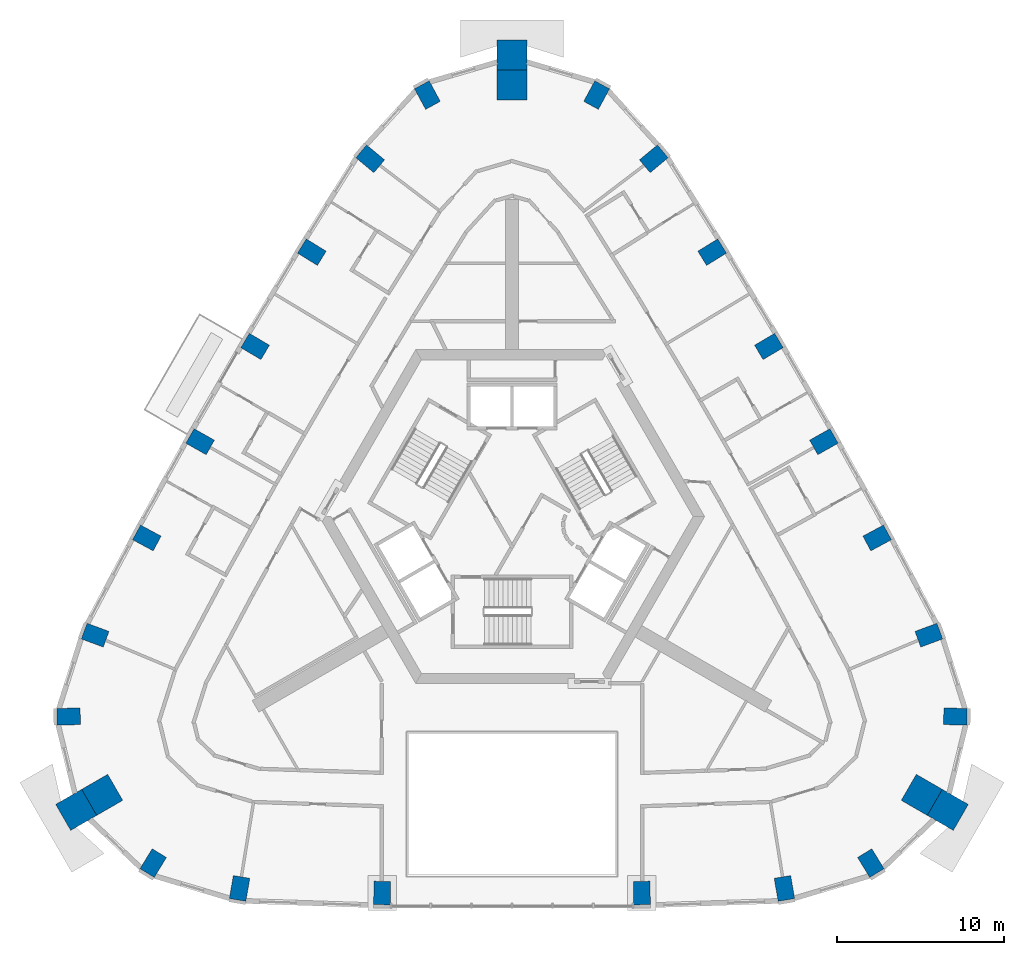
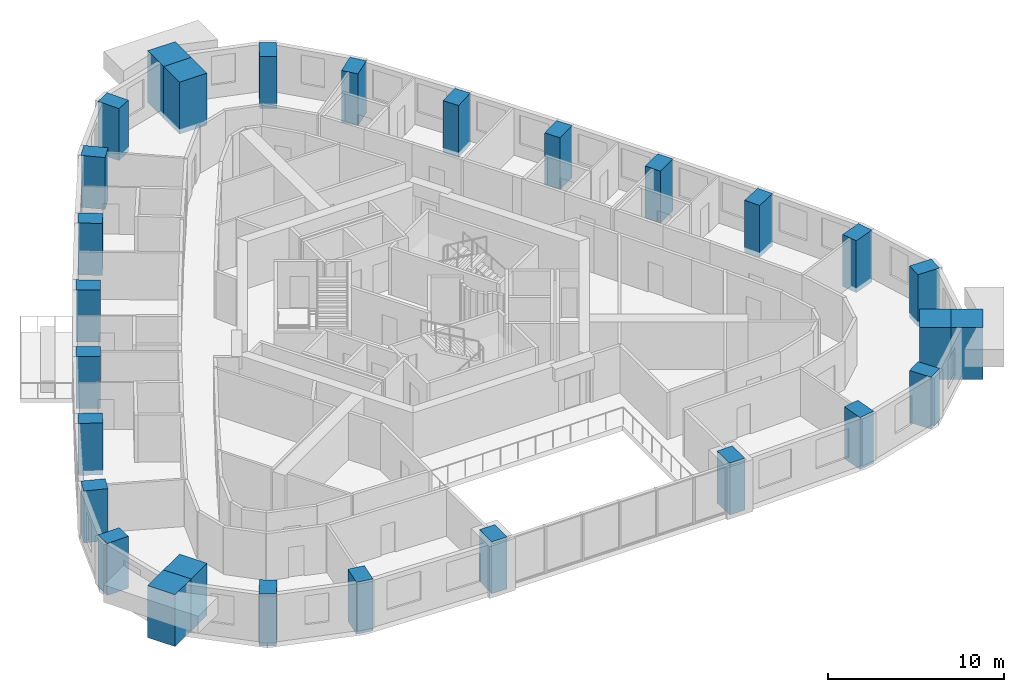
# One storey, part 1 of 13: 28 columns.
"""IFC4 building model written with IfcOpenShell, lengths in metres."""

from ifc_helpers import new_model, si_unit, direction, frame, origin, origin_2d, place, context, subcontext, project, spatial, rectangle, extrude, material, material_profile, profile_set, type_object, element, save


model = new_model("IFC4")

# Units and contexts
model_context = context("Model", 3, precision=1e-05, world=origin(), true_north=direction((0.0, 1.0)))
body_context = subcontext(model_context, "Body", "Model", "MODEL_VIEW")
ifc_project = project(units=[si_unit("LENGTHUNIT", "METRE"), si_unit("AREAUNIT", "SQUARE_METRE"), si_unit("VOLUMEUNIT", "CUBIC_METRE"), si_unit("PLANEANGLEUNIT", "RADIAN"), si_unit("MASSUNIT", "GRAM", prefix="KILO")], contexts=[model_context])

# Site, building, storey
site_placement = place(None, origin())
site = spatial("IfcSite", under=ifc_project, at=site_placement, CompositionType="ELEMENT")
building_placement = place(site_placement, origin())
building = spatial("IfcBuilding", under=site, at=building_placement, Name="Entoto Arch Interchange Tower", CompositionType="ELEMENT")
storey_placement = place(building_placement, frame((0.0, 0.0, 270.199951171875)))
storey = spatial("IfcBuildingStorey", under=building, at=storey_placement, Name="L62", CompositionType="ELEMENT", Elevation=270.199951171875)

# Columns
ifc_material_1 = material(Name="Concrete C40/50", Category="concrete")
ifc_material_profile_1 = material_profile(ifc_material_1, rectangle(XDim=1.0, YDim=1.39990234375, at=origin_2d()))
ifc_profile_set_1 = profile_set([ifc_material_profile_1], Name="Concrete C40/50")
column_type_1 = type_object("IfcColumnType", Name="Column RC 1000x1400 C40/50", PredefinedType="COLUMN", material=ifc_profile_set_1)
for number, where, z_axis, x_axis, name in (
    (1, (-16.330078125, -19.79296875, -0.33984375), (0.0, 0.0, 1.0), (-0.985952343326, 0.167026874157, 0.0), "Column S01 L62"),
    (2, (-7.783935546875, -20.069091796875, -0.33984375), (0.0, 0.0, 1.0), (-0.999832723398, 0.018290030661, 0.0), "Column S02 L62"),
    (3, (7.783935546875, -20.069091796875, -0.33984375), (0.0, 0.0, 1.0), (0.999832723398, 0.018290030661, 0.0), "Column S03 L62"),
    (4, (16.330078125, -19.79296875, -0.33984375), (0.0, 0.0, 1.0), (0.985952343326, 0.167026874157, 0.0), "Column S04 L62"),
    (5, (21.508056640625, -18.27392578125, -0.33984375), (0.0, 0.0, 1.0), (0.853341581839, 0.521352227103, 0.0), "Column SE1 L62"),
    (6, (26.5791015625, -9.489013671875, -0.33984375), (0.0, 0.0, 1.0), (0.024833482072, 0.999691601529, 0.0), "Column SE3 L62"),
    (7, (24.988037109375, -4.611083984375, -0.33984375), (0.0, 0.0, 1.0), (-0.346853804003, 0.937919206888, 0.0), "Column NE01 L62"),
    (8, (21.889892578125, 1.217041015625, -0.33984375), (0.0, 0.0, 1.0), (-0.473980634908, 0.880535267739, 0.0), "Column NE02 L62"),
    (9, (18.696044921875, 6.987060546875, -0.33984375), (0.0, 0.0, 1.0), (-0.491375053773, 0.870948079124, 0.0), "Column NE03 L62"),
    (10, (15.39892578125, 12.697021484375, -0.33984375), (0.0, 0.0, 1.0), (-0.508575635012, 0.861017318916, 0.0), "Column NE04 L62"),
    (11, (11.9990234375, 18.34912109375, -0.33984375), (0.0, 0.0, 1.0), (-0.525575593337, 0.850746904601, 0.0), "Column NE05 L62"),
    (12, (8.5, 23.946044921875, -0.33984375), (0.0, 0.0, 1.0), (-0.638834957861, 0.769343809109, 0.0), "Column NE06 L62"),
    (13, (5.071044921875, 27.763916015625, -0.33984375), (0.0, 0.0, 1.0), (-0.87817506391, 0.478339374426, 0.0), "Column N1 L62"),
    (14, (-5.071044921875, 27.763916015625, -0.33984375), (0.0, 0.0, 1.0), (0.87817506391, 0.478339374426, 0.0), "Column N3 L62"),
    (15, (-8.5, 23.946044921875, -0.33984375), (0.0, 0.0, 1.0), (0.638834957861, 0.769343809109, 0.0), "Column NW01 L62"),
    (16, (-11.9990234375, 18.34912109375, -0.33984375), (0.0, 0.0, 1.0), (0.525575593337, 0.850746904601, 0.0), "Column NW02 L62"),
    (17, (-15.39892578125, 12.697021484375, -0.33984375), (0.0, 0.0, 1.0), (0.508575635012, 0.861017318916, 0.0), "Column NW03 L62"),
    (18, (-18.696044921875, 6.987060546875, -0.33984375), (0.0, 0.0, 1.0), (0.491375053773, 0.870948079124, 0.0), "Column NW04 L62"),
    (19, (-21.889892578125, 1.217041015625, -0.33984375), (0.0, 0.0, 1.0), (0.473980634908, 0.880535267739, 0.0), "Column NW05 L62"),
    (20, (-24.988037109375, -4.611083984375, -0.33984375), (0.0, 0.0, 1.0), (0.346853804003, 0.937919206888, 0.0), "Column NW06 L62"),
    (21, (-26.5791015625, -9.489013671875, -0.33984375), (0.0, 0.0, 1.0), (-0.024833482072, 0.999691601529, 0.0), "Column SW1 L62"),
    (22, (-21.508056640625, -18.27392578125, -0.33984375), (0.0, 0.0, 1.0), (-0.853341581839, 0.521352227103, 0.0), "Column SW3 L62"),
):
    element("IfcColumn", number, at=place(storey_placement, frame(where, z_axis=z_axis, x_axis=x_axis)), inside=storey, type_object=column_type_1, Name=name, PredefinedType="COLUMN", context=body_context, shape_type="SweptSolid", body=[
        extrude(rectangle(XDim=1.0, YDim=1.39990234375, at=origin_2d()), origin(), (0.0, 0.0, 1.0), 3.599853515625),
    ])
ifc_material_2 = material(Name="Precast concrete C40/50", Category="concrete")
ifc_material_profile_2 = material_profile(ifc_material_2, rectangle(XDim=1.800048828125, YDim=1.800048828125, at=origin_2d()))
ifc_profile_set_2 = profile_set([ifc_material_profile_2], Name="Precast concrete C40/50")
column_type_2 = type_object("IfcColumnType", Name="Frame post RC 1800x1800 precast C40/50", PredefinedType="COLUMN", material=ifc_profile_set_2)
for number, where, z_axis, x_axis, name in (
    (23, (26.125, -15.083984375, -0.33984375), (0.0, 0.0, 1.0), (-0.866025403784, 0.5, 0.0), "Frame post SE L62"),
    (24, (0.0, 30.1669921875, -0.33984375), (0.0, 0.0, 1.0), (0.0, 1.0, 0.0), "Frame post N L62"),
    (25, (-26.125, -15.083984375, -0.33984375), (0.0, 0.0, 1.0), (0.866025403784, 0.5, 0.0), "Frame post SW L62"),
):
    element("IfcColumn", number, at=place(storey_placement, frame(where, z_axis=z_axis, x_axis=x_axis)), inside=storey, type_object=column_type_2, Name=name, PredefinedType="COLUMN", context=body_context, shape_type="SweptSolid", body=[
        extrude(rectangle(XDim=1.800048828125, YDim=1.800048828125, at=origin_2d()), origin(), (0.0, 0.0, 1.0), 3.599853515625),
    ])
ifc_material_profile_3 = material_profile(ifc_material_1, rectangle(XDim=1.800048828125, YDim=1.800048828125, at=origin_2d()))
ifc_profile_set_3 = profile_set([ifc_material_profile_3], Name="Concrete C40/50")
column_type_3 = type_object("IfcColumnType", Name="Mega column RC 1800x1800 C40/50", PredefinedType="COLUMN", material=ifc_profile_set_3)
for number, where, z_axis, x_axis, name in (
    (26, (24.56591796875, -14.18408203125, -0.33984375), (0.0, 0.0, 1.0), (-0.866025403784, 0.5, 0.0), "Corner mega column SE2 L62"),
    (27, (0.0, 28.366943359375, -0.33984375), (0.0, 0.0, 1.0), (0.0, 1.0, 0.0), "Corner mega column N2 L62"),
    (28, (-24.56591796875, -14.18408203125, -0.33984375), (0.0, 0.0, 1.0), (0.866025403784, 0.5, 0.0), "Corner mega column SW2 L62"),
):
    element("IfcColumn", number, at=place(storey_placement, frame(where, z_axis=z_axis, x_axis=x_axis)), inside=storey, type_object=column_type_3, Name=name, PredefinedType="COLUMN", context=body_context, shape_type="SweptSolid", body=[
        extrude(rectangle(XDim=1.800048828125, YDim=1.800048828125, at=origin_2d()), origin(), (0.0, 0.0, 1.0), 3.599853515625),
    ])

save(model, "model.ifc")
